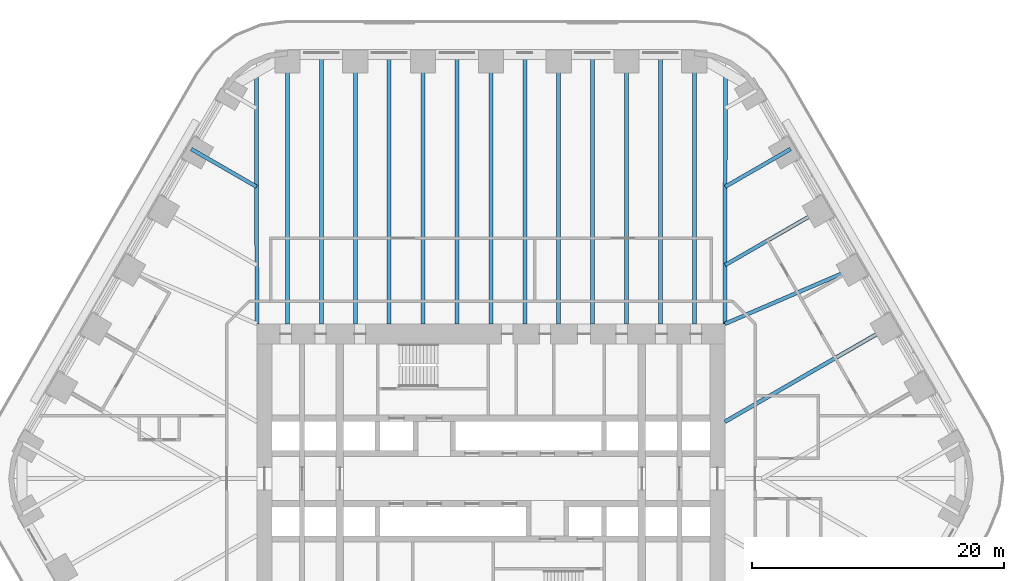
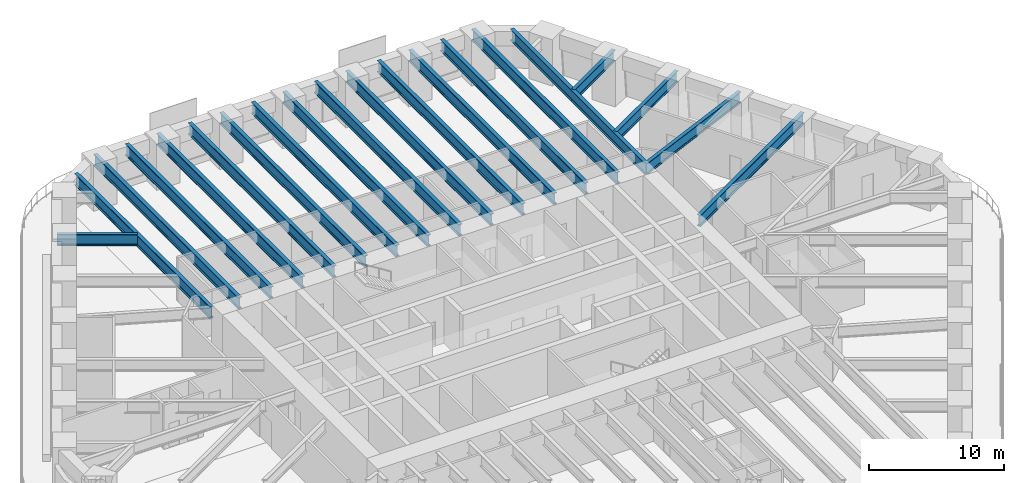
# One storey, part 10 of 23: 20 beams.
"""IFC4 building model written with IfcOpenShell, lengths in metres."""

from ifc_helpers import new_model, si_unit, direction, frame, origin, origin_2d, place, context, subcontext, project, spatial, i_section, extrude, material, material_profile, profile_set, type_object, element, save


model = new_model("IFC4")

# Units and contexts
model_context = context("Model", 3, precision=1e-05, world=origin(), true_north=direction((0.0, 1.0)))
body_context = subcontext(model_context, "Body", "Model", "MODEL_VIEW")
ifc_project = project(units=[si_unit("LENGTHUNIT", "METRE"), si_unit("AREAUNIT", "SQUARE_METRE"), si_unit("VOLUMEUNIT", "CUBIC_METRE"), si_unit("PLANEANGLEUNIT", "RADIAN"), si_unit("MASSUNIT", "GRAM", prefix="KILO")], contexts=[model_context])

# Site, building, storey
site_placement = place(None, origin())
site = spatial("IfcSite", under=ifc_project, at=site_placement, CompositionType="ELEMENT")
building_placement = place(site_placement, origin())
building = spatial("IfcBuilding", under=site, at=building_placement, Name="Tarfa Lantern Tower", CompositionType="ELEMENT")
storey_placement = place(building_placement, frame((0.0, 0.0, 48.699951171875)))
storey = spatial("IfcBuildingStorey", under=building, at=storey_placement, Name="L10", CompositionType="ELEMENT", Elevation=48.699951171875)

# Beams
ifc_material = material(Name="Steel S460M", Category="steel")
ifc_material_profile_1 = material_profile(ifc_material, i_section(OverallWidth=0.302001953125, OverallDepth=1.008056640625, WebThickness=0.02099609375, FlangeThickness=0.0400390625, FilletRadius=0.030029296875, at=origin_2d()), Name="UB1016x305x349")
ifc_profile_set_1 = profile_set([ifc_material_profile_1], Name="Steel S460M")
beam_type_1 = type_object("IfcBeamType", Name="UB1016x305x349", PredefinedType="BEAM", material=ifc_profile_set_1)
beam_1_placement = place(storey_placement, frame((29.202392578125, 16.860107421875, 3.49609375), z_axis=(-0.918635483867, -0.395106122175, 0.0), x_axis=(0.395106122175, -0.918635483867, 0.0)))
element("IfcBeam", 1, at=beam_1_placement, inside=storey, type_object=beam_type_1, Name="Floor beam NE3", PredefinedType="BEAM", context=body_context, shape_type="SweptSolid", body=[
    extrude(i_section(OverallWidth=0.302001953125, OverallDepth=1.008056640625, WebThickness=0.02099609375, FlangeThickness=0.0400390625, FilletRadius=0.030029296875, at=origin_2d()), origin(), (0.0, 0.0, 1.0), 11.541259765625),
])
beam_2_placement = place(storey_placement, frame((26.508056640625, 21.526611328125, 3.49609375), z_axis=(-0.866035355799, -0.49998276221, 0.0), x_axis=(0.49998276221, -0.866035355799, 0.0)))
element("IfcBeam", 2, at=beam_2_placement, inside=storey, type_object=beam_type_1, Name="Floor beam NE4", PredefinedType="BEAM", context=body_context, shape_type="SweptSolid", body=[
    extrude(i_section(OverallWidth=0.302001953125, OverallDepth=1.008056640625, WebThickness=0.02099609375, FlangeThickness=0.0400390625, FilletRadius=0.030029296875, at=origin_2d()), origin(), (0.0, 0.0, 1.0), 9.119873046875),
])
for number, where, z_axis, x_axis, name in (
    (3, (23.813720703125, 26.193359375, 3.49609375), (-0.866015997389, -0.500016292001, 0.0), (0.500016292001, -0.866015997389, 0.0), "Floor beam NE5"),
    (4, (-23.813720703125, 26.193359375, 3.49609375), (0.866015997389, -0.500016292001, 0.0), (0.500016292001, 0.866015997389, 0.0), "Floor beam NW1"),
):
    element("IfcBeam", number, at=place(storey_placement, frame(where, z_axis=z_axis, x_axis=x_axis)), inside=storey, type_object=beam_type_1, Name=name, PredefinedType="BEAM", context=body_context, shape_type="SweptSolid", body=[
        extrude(i_section(OverallWidth=0.302001953125, OverallDepth=1.008056640625, WebThickness=0.02099609375, FlangeThickness=0.0400390625, FilletRadius=0.030029296875, at=origin_2d()), origin(), (0.0, 0.0, 1.0), 5.993408203125),
    ])
ifc_material_profile_2 = material_profile(ifc_material, i_section(OverallWidth=0.314208984375, OverallDepth=1.055908203125, WebThickness=0.035888671875, FlangeThickness=0.06396484375, FilletRadius=0.030029296875, at=origin_2d()), Name="UB1016x305x584")
ifc_profile_set_2 = profile_set([ifc_material_profile_2], Name="Steel S460M")
beam_type_2 = type_object("IfcBeamType", Name="UB1016x305x584", PredefinedType="BEAM", material=ifc_profile_set_2)
for number, where, z_axis, x_axis, name in (
    (5, (18.60009765625, 12.300048828125, 3.47216796875), (0.00212508222, 0.99999774201, 0.0), (-0.99999774201, 0.00212508222, 0.0), "Hip girder NE"),
    (6, (-18.60009765625, 12.300048828125, 3.47216796875), (-0.00212508222, 0.99999774201, 0.0), (-0.99999774201, -0.00212508222, 0.0), "Hip girder NW"),
):
    element("IfcBeam", number, at=place(storey_placement, frame(where, z_axis=z_axis, x_axis=x_axis)), inside=storey, type_object=beam_type_2, Name=name, PredefinedType="BEAM", context=body_context, shape_type="SweptSolid", body=[
        extrude(i_section(OverallWidth=0.314208984375, OverallDepth=1.055908203125, WebThickness=0.035888671875, FlangeThickness=0.06396484375, FilletRadius=0.030029296875, at=origin_2d()), origin(), (0.0, 0.0, 1.0), 19.989990234375),
    ])
beam_3_placement = place(storey_placement, frame((31.896728515625, 12.193359375, 3.47216796875), z_axis=(-0.866026971665, -0.499997284341, 0.0), x_axis=(0.499997284341, -0.866026971665, 0.0)))
element("IfcBeam", 7, at=beam_3_placement, inside=storey, type_object=beam_type_2, Name="Floor beam NE2", PredefinedType="BEAM", context=body_context, shape_type="SweptSolid", body=[
    extrude(i_section(OverallWidth=0.314208984375, OverallDepth=1.055908203125, WebThickness=0.035888671875, FlangeThickness=0.06396484375, FilletRadius=0.030029296875, at=origin_2d()), origin(), (0.0, 0.0, 1.0), 15.353515625),
])
for number, where, z_axis, x_axis, name in (
    (8, (16.165771484375, 33.719970703125, 3.47216796875), (0.0, -1.0, 0.0), (1.0, 0.0, 0.0), "Floor beam N0"),
    (9, (10.777099609375, 33.719970703125, 3.47216796875), (0.0, -1.0, 0.0), (1.0, 0.0, 0.0), "Floor beam N1"),
    (10, (5.388671875, 33.719970703125, 3.47216796875), (0.0, -1.0, 0.0), (1.0, 0.0, 0.0), "Floor beam N2"),
    (11, (0.0, 33.719970703125, 3.47216796875), (0.0, -1.0, 0.0), (1.0, 0.0, 0.0), "Floor beam N3"),
    (12, (-5.388671875, 33.719970703125, 3.47216796875), (0.0, -1.0, 0.0), (1.0, 0.0, 0.0), "Floor beam N4"),
    (13, (-10.777099609375, 33.719970703125, 3.47216796875), (0.0, -1.0, 0.0), (1.0, 0.0, 0.0), "Floor beam N5"),
    (14, (-16.165771484375, 33.719970703125, 3.47216796875), (0.0, -1.0, 0.0), (1.0, 0.0, 0.0), "Floor beam N6"),
    (15, (13.471435546875, 33.719970703125, 3.47216796875), (0.0, -1.0, 0.0), (1.0, 0.0, 0.0), "Floor beam N0M"),
    (16, (8.0830078125, 33.719970703125, 3.47216796875), (0.0, -1.0, 0.0), (1.0, 0.0, 0.0), "Floor beam N1M"),
    (17, (2.6943359375, 33.719970703125, 3.47216796875), (0.0, -1.0, 0.0), (1.0, 0.0, 0.0), "Floor beam N2M"),
    (18, (-2.6943359375, 33.719970703125, 3.47216796875), (0.0, -1.0, 0.0), (1.0, 0.0, 0.0), "Floor beam N3M"),
    (19, (-8.0830078125, 33.719970703125, 3.47216796875), (0.0, -1.0, 0.0), (1.0, 0.0, 0.0), "Floor beam N4M"),
    (20, (-13.471435546875, 33.719970703125, 3.47216796875), (0.0, -1.0, 0.0), (1.0, 0.0, 0.0), "Floor beam N5M"),
):
    element("IfcBeam", number, at=place(storey_placement, frame(where, z_axis=z_axis, x_axis=x_axis)), inside=storey, type_object=beam_type_2, Name=name, PredefinedType="BEAM", context=body_context, shape_type="SweptSolid", body=[
        extrude(i_section(OverallWidth=0.314208984375, OverallDepth=1.055908203125, WebThickness=0.035888671875, FlangeThickness=0.06396484375, FilletRadius=0.030029296875, at=origin_2d()), origin(), (0.0, 0.0, 1.0), 21.419921875),
    ])

save(model, "model.ifc")
